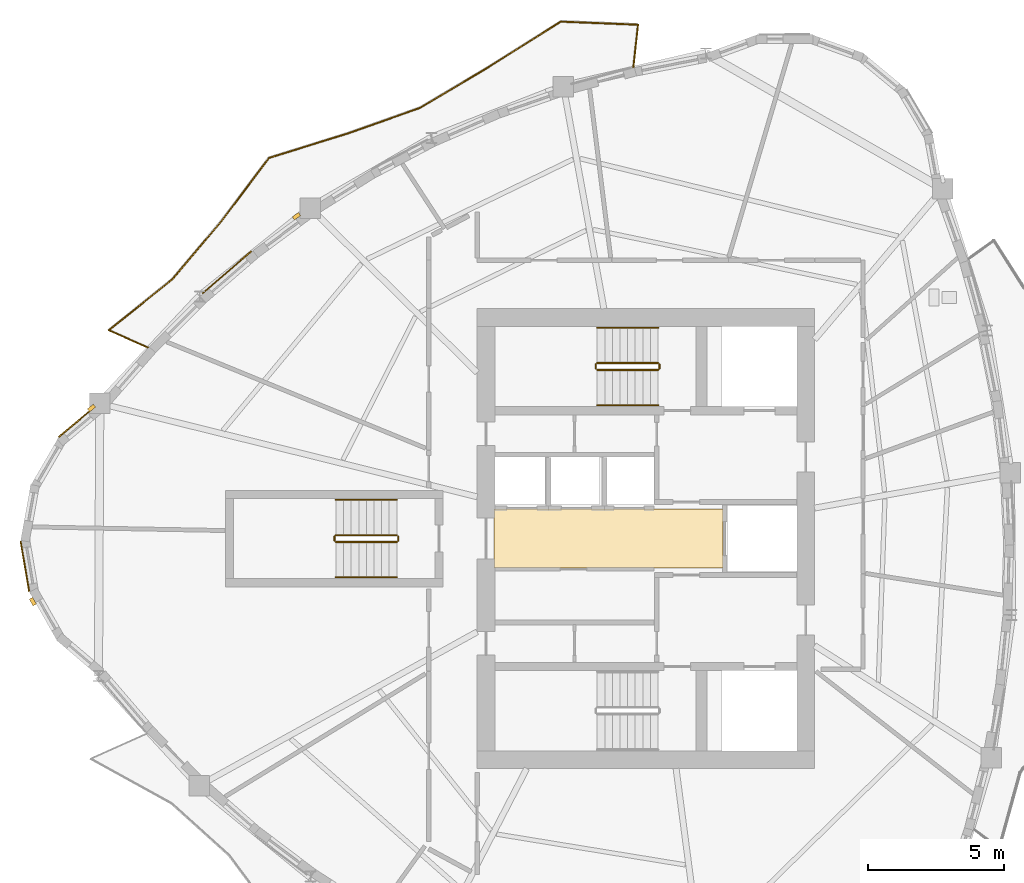
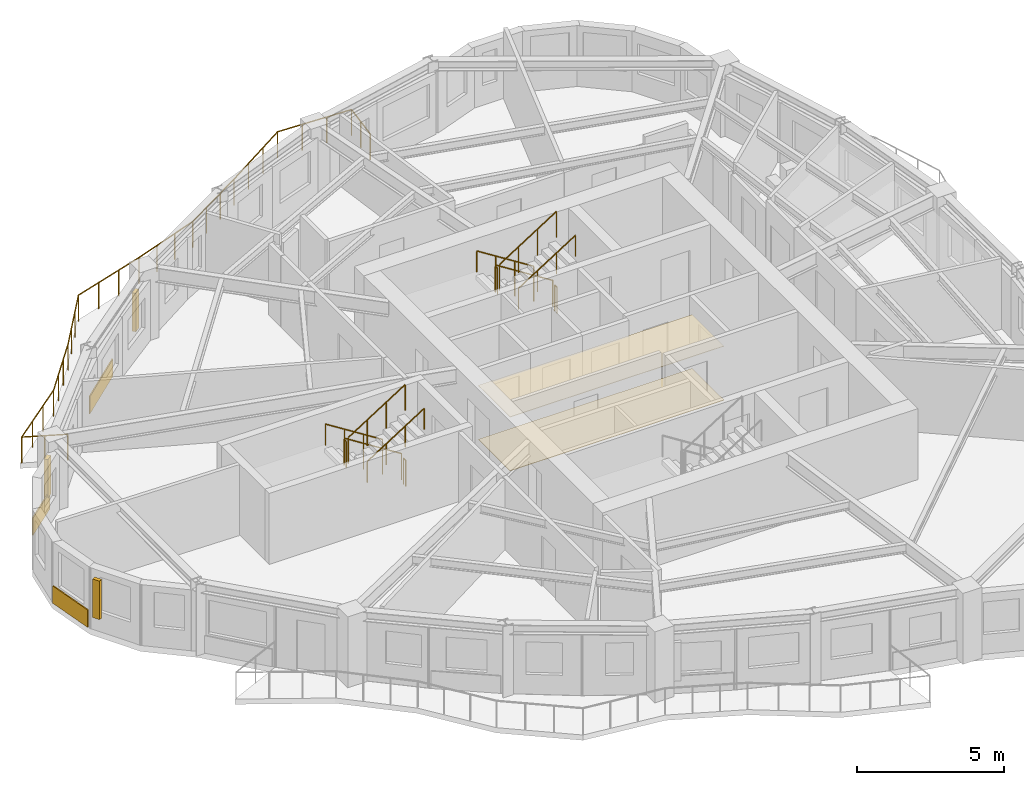
# One storey, part 10 of 12: 13 railings, 5 coverings, 3 shading devices.
"""IFC4 building model written with IfcOpenShell, lengths in metres."""

from ifc_helpers import new_model, si_unit, direction, frame, origin, origin_2d, place, context, subcontext, project, spatial, polyline, rectangle, circle, outline, extrude, source, transform, mapped, material, layer, layer_set, type_object, element, save


model = new_model("IFC4")

# Units and contexts
model_context = context("Model", 3, precision=1e-05, world=origin(), true_north=direction((0.0, 1.0)))
body_context = subcontext(model_context, "Body", "Model", "MODEL_VIEW")
ifc_project = project(units=[si_unit("LENGTHUNIT", "METRE"), si_unit("AREAUNIT", "SQUARE_METRE"), si_unit("VOLUMEUNIT", "CUBIC_METRE"), si_unit("PLANEANGLEUNIT", "RADIAN"), si_unit("MASSUNIT", "GRAM", prefix="KILO")], contexts=[model_context])

# Site, building, storey
site_placement = place(None, origin())
site = spatial("IfcSite", under=ifc_project, at=site_placement, CompositionType="ELEMENT")
building_placement = place(site_placement, origin())
building = spatial("IfcBuilding", under=site, at=building_placement, Name="Qafzar Sky-Pleat Residences", CompositionType="ELEMENT")
storey_placement = place(building_placement, frame((0.0, 0.0, 174.60009765625)))
storey = spatial("IfcBuildingStorey", under=building, at=storey_placement, Name="L52", CompositionType="ELEMENT", Elevation=174.60009765625)

# Coverings
ifc_material_1 = material(Name="Perforated acoustic gypsum board ceiling")
ifc_layer_1 = layer(ifc_material_1, 0.02001953125)
ifc_layer_set_1 = layer_set([ifc_layer_1], Name="Perforated acoustic gypsum board ceiling")
covering_type_1 = type_object("IfcCoveringType", Name="COV-CEIL-ACOUSTIC", PredefinedType="CEILING", material=ifc_layer_set_1)
covering_1_placement = place(storey_placement, frame((0.0, 0.0, 2.239990234375)))
element("IfcCovering", 1, at=covering_1_placement, inside=storey, type_object=covering_type_1, Name="L52 Passenger Lift Lobby Acoustic Ceiling", PredefinedType="CEILING", context=body_context, shape_type="SweptSolid", body=[
    extrude(outline(polyline([(33.179931640625, 24.919921875), (24.77001953125, 24.919921875), (24.77001953125, 27.080078125), (33.179931640625, 27.080078125), (33.179931640625, 24.919921875)])), origin(), (0.0, 0.0, 1.0), 0.02001953125),
])
ifc_material_2 = material(Name="Honed porcelain and Riyadh stone tile flooring", Category="masonry")
ifc_layer_2 = layer(ifc_material_2, 0.02001953125)
ifc_layer_set_2 = layer_set([ifc_layer_2], Name="Honed porcelain and Riyadh stone tile flooring")
covering_type_2 = type_object("IfcCoveringType", Name="COV-FLR-PORCELAIN", PredefinedType="FLOORING", material=ifc_layer_set_2)
covering_2_placement = place(storey_placement, origin())
element("IfcCovering", 2, at=covering_2_placement, inside=storey, type_object=covering_type_2, Name="L52 Passenger Lift Lobby Honed Stone Flooring", PredefinedType="FLOORING", context=body_context, shape_type="SweptSolid", body=[
    extrude(outline(polyline([(33.179931640625, 24.919921875), (24.77001953125, 24.919921875), (24.77001953125, 27.080078125), (33.179931640625, 27.080078125), (33.179931640625, 24.919921875)])), origin(), (0.0, 0.0, 1.0), 0.02001953125),
])

# Shading devices
ifc_material_3 = material(Name="Honed Riyadh limestone solar fin", Category="masonry")
ifc_layer_3 = layer(ifc_material_3, 0.139892578125)
ifc_layer_set_3 = layer_set([ifc_layer_3], Name="Honed Riyadh limestone solar fin")
shading_device_type = type_object("IfcShadingDeviceType", Name="SHD-FIN-STONE", PredefinedType="SHUTTER", material=ifc_layer_set_3)
shared_shape_1 = source(origin(), body_context, "Body", "SweptSolid", [
    extrude(rectangle(XDim=0.139892578125, YDim=0.280029296875, at=origin_2d()), origin(), (0.0, 0.0, 1.0), 1.60009765625),
])
for number, where, z_axis, x_axis, name in (
    (3, (9.977783203125, 30.7958984375, 0.599853515625), (0.0, 0.0, 1.0), (-0.642173926269, 0.766558966042, 0.0), "L52 Limestone Solar Fin 1"),
    (4, (7.822998046875, 23.68310546875, 0.599853515625), (0.0, 0.0, 1.0), (-0.869636147996, -0.493693194301, 0.0), "L52 Limestone Solar Fin 5"),
    (5, (17.51025390625, 37.845947265625, 0.599853515625), (0.0, 0.0, 1.0), (-0.594869963507, 0.803821949512, 0.0), "L52 Limestone Solar Fin 45"),
):
    element("IfcShadingDevice", number, at=place(storey_placement, frame(where, z_axis=z_axis, x_axis=x_axis)), inside=storey, type_object=shading_device_type, Name=name, PredefinedType="SHUTTER", context=body_context, shape_type="MappedRepresentation", body=[
        mapped(shared_shape_1, transform((0.0, 0.0, 0.0), x_axis=(1.0, 0.0, 0.0), y_axis=(0.0, 1.0, 0.0), z_axis=(0.0, 0.0, 1.0), scale=1.0)),
    ])

# Covering
ifc_material_4 = material(Name="Honed Riyadh Tuwaiq limestone cladding", Category="masonry")
ifc_layer_4 = layer(ifc_material_4, 0.044921875)
ifc_layer_set_4 = layer_set([ifc_layer_4], Name="Honed Riyadh Tuwaiq limestone cladding")
covering_type_3 = type_object("IfcCoveringType", Name="COV-CLAD-STONE", PredefinedType="CLADDING", material=ifc_layer_set_4)
shared_shape_2 = source(origin(), body_context, "Body", "SweptSolid", [
    extrude(rectangle(XDim=1.872802734375, YDim=0.044921875, at=origin_2d()), origin(), (0.0, 0.0, 1.0), 0.719970703125),
])
covering_3_placement = place(storey_placement, frame((7.5302734375, 24.98046875, 0.02001953125), z_axis=(0.0, 0.0, 1.0), x_axis=(0.168083505524, -0.985772760412, 0.0)))
element("IfcCovering", 6, at=covering_3_placement, inside=storey, type_object=covering_type_3, Name="L52 Riyadh Limestone Spandrel Cladding 4", PredefinedType="CLADDING", context=body_context, shape_type="MappedRepresentation", body=[
    mapped(shared_shape_2, transform((0.0, 0.0, 0.0), x_axis=(1.0, 0.0, 0.0), y_axis=(0.0, 1.0, 0.0), z_axis=(0.0, 0.0, 1.0), scale=1.0)),
])

# Railing
ifc_material_5 = material(Name="Laminated glass and bronze steel balustrade", Category="steel")
railing_type_1 = type_object("IfcRailingType", Name="RAIL-BAL-1100", PredefinedType="BALUSTRADE", material=ifc_material_5)
shared_shape_3 = source(origin(), body_context, "Body", "SweptSolid", [
    extrude(circle(Radius=0.02392578125, at=origin_2d()), frame((0.0, 0.0, 1.076171875), z_axis=(0.108461410542, 0.994100660106, 0.0), x_axis=(-0.994100660106, 0.108461410542, 0.0)), (0.0, 0.0, 1.0), 1.577880859375),
    extrude(circle(Radius=0.02392578125, at=origin_2d()), frame((0.171142578125, 1.568603515625, 1.076171875), z_axis=(-0.999194909063, 0.040118994285, 0.0), x_axis=(-0.040118994285, -0.999194909063, 0.0)), (0.0, 0.0, 1.0), 2.841796875),
    extrude(circle(Radius=0.02392578125, at=origin_2d()), frame((-2.66845703125, 1.6826171875, 1.076171875), z_axis=(-0.846148056043, -0.532947902947, 0.0), x_axis=(0.532947902947, -0.846148056043, 0.0)), (0.0, 0.0, 1.0), 3.174072265625),
    extrude(circle(Radius=0.02392578125, at=origin_2d()), frame((-5.354248046875, -0.009033203125, 1.076171875), z_axis=(-0.85916719873, -0.511694952708, 0.0), x_axis=(0.511694952708, -0.85916719873, 0.0)), (0.0, 0.0, 1.0), 2.886962890625),
    extrude(circle(Radius=0.02392578125, at=origin_2d()), frame((-7.834716796875, -1.486328125, 1.076171875), z_axis=(-0.942773892816, -0.333432732385, 0.0), x_axis=(0.333432732385, -0.942773892816, 0.0)), (0.0, 0.0, 1.0), 2.81396484375),
    extrude(circle(Radius=0.02392578125, at=origin_2d()), frame((-10.487548828125, -2.424560546875, 1.076171875), z_axis=(-0.954969167294, -0.296705054755, 0.0), x_axis=(0.296705054755, -0.954969167294, 0.0)), (0.0, 0.0, 1.0), 3.037841796875),
    extrude(circle(Radius=0.02392578125, at=origin_2d()), frame((-13.388671875, -3.325927734375, 1.076171875), z_axis=(-0.601041730747, -0.799217641135, 0.0), x_axis=(0.799217641135, -0.601041730747, 0.0)), (0.0, 0.0, 1.0), 2.92333984375),
    extrude(circle(Radius=0.02392578125, at=origin_2d()), frame((-15.145751953125, -5.662353515625, 1.076171875), z_axis=(-0.645698045806, -0.763592845463, 0.0), x_axis=(0.763592845463, -0.645698045806, 0.0)), (0.0, 0.0, 1.0), 2.779052734375),
    extrude(circle(Radius=0.02392578125, at=origin_2d()), frame((-16.940185546875, -7.784423828125, 1.076171875), z_axis=(-0.77980175034, -0.626026541103, 0.0), x_axis=(0.626026541103, -0.77980175034, 0.0)), (0.0, 0.0, 1.0), 2.994384765625),
    extrude(circle(Radius=0.02392578125, at=origin_2d()), frame((-19.275146484375, -9.658935546875, 1.076171875), z_axis=(0.915178094517, -0.403049693359, 0.0), x_axis=(0.403049693359, 0.915178094517, 0.0)), (0.0, 0.0, 1.0), 1.577880859375),
    extrude(circle(Radius=0.02099609375, at=origin_2d()), origin(), (0.0, 0.0, 1.0), 1.052001953125),
    extrude(circle(Radius=0.02099609375, at=origin_2d()), frame((0.08544921875, 0.7841796875, 0.0)), (0.0, 0.0, 1.0), 1.052001953125),
    extrude(circle(Radius=0.02099609375, at=origin_2d()), frame((0.171142578125, 1.568603515625, 0.0)), (0.0, 0.0, 1.0), 1.052001953125),
    extrude(circle(Radius=0.02099609375, at=origin_2d()), frame((-0.775390625, 1.606689453125, 0.0)), (0.0, 0.0, 1.0), 1.052001953125),
    extrude(circle(Radius=0.02099609375, at=origin_2d()), frame((-1.721923828125, 1.64453125, 0.0)), (0.0, 0.0, 1.0), 1.052001953125),
    extrude(circle(Radius=0.02099609375, at=origin_2d()), frame((-2.66845703125, 1.6826171875, 0.0)), (0.0, 0.0, 1.0), 1.052001953125),
    extrude(circle(Radius=0.02099609375, at=origin_2d()), frame((-3.563720703125, 1.11865234375, 0.0)), (0.0, 0.0, 1.0), 1.052001953125),
    extrude(circle(Radius=0.02099609375, at=origin_2d()), frame((-4.458984375, 0.554931640625, 0.0)), (0.0, 0.0, 1.0), 1.052001953125),
    extrude(circle(Radius=0.02099609375, at=origin_2d()), frame((-5.354248046875, -0.009033203125, 0.0)), (0.0, 0.0, 1.0), 1.052001953125),
    extrude(circle(Radius=0.02099609375, at=origin_2d()), frame((-6.18115234375, -0.50146484375, 0.0)), (0.0, 0.0, 1.0), 1.052001953125),
    extrude(circle(Radius=0.02099609375, at=origin_2d()), frame((-7.0078125, -0.993896484375, 0.0)), (0.0, 0.0, 1.0), 1.052001953125),
    extrude(circle(Radius=0.02099609375, at=origin_2d()), frame((-7.834716796875, -1.486328125, 0.0)), (0.0, 0.0, 1.0), 1.052001953125),
    extrude(circle(Radius=0.02099609375, at=origin_2d()), frame((-8.718994140625, -1.799072265625, 0.0)), (0.0, 0.0, 1.0), 1.052001953125),
    extrude(circle(Radius=0.02099609375, at=origin_2d()), frame((-9.603271484375, -2.11181640625, 0.0)), (0.0, 0.0, 1.0), 1.052001953125),
    extrude(circle(Radius=0.02099609375, at=origin_2d()), frame((-10.487548828125, -2.424560546875, 0.0)), (0.0, 0.0, 1.0), 1.052001953125),
    extrude(circle(Radius=0.02099609375, at=origin_2d()), frame((-11.45458984375, -2.72509765625, 0.0)), (0.0, 0.0, 1.0), 1.052001953125),
    extrude(circle(Radius=0.02099609375, at=origin_2d()), frame((-12.421630859375, -3.025390625, 0.0)), (0.0, 0.0, 1.0), 1.052001953125),
    extrude(circle(Radius=0.02099609375, at=origin_2d()), frame((-13.388671875, -3.325927734375, 0.0)), (0.0, 0.0, 1.0), 1.052001953125),
    extrude(circle(Radius=0.02099609375, at=origin_2d()), frame((-13.974365234375, -4.104736328125, 0.0)), (0.0, 0.0, 1.0), 1.052001953125),
    extrude(circle(Radius=0.02099609375, at=origin_2d()), frame((-14.56005859375, -4.883544921875, 0.0)), (0.0, 0.0, 1.0), 1.052001953125),
    extrude(circle(Radius=0.02099609375, at=origin_2d()), frame((-15.145751953125, -5.662353515625, 0.0)), (0.0, 0.0, 1.0), 1.052001953125),
    extrude(circle(Radius=0.02099609375, at=origin_2d()), frame((-15.743896484375, -6.36962890625, 0.0)), (0.0, 0.0, 1.0), 1.052001953125),
    extrude(circle(Radius=0.02099609375, at=origin_2d()), frame((-16.342041015625, -7.0771484375, 0.0)), (0.0, 0.0, 1.0), 1.052001953125),
    extrude(circle(Radius=0.02099609375, at=origin_2d()), frame((-16.940185546875, -7.784423828125, 0.0)), (0.0, 0.0, 1.0), 1.052001953125),
    extrude(circle(Radius=0.02099609375, at=origin_2d()), frame((-17.718505859375, -8.4091796875, 0.0)), (0.0, 0.0, 1.0), 1.052001953125),
    extrude(circle(Radius=0.02099609375, at=origin_2d()), frame((-18.496826171875, -9.0341796875, 0.0)), (0.0, 0.0, 1.0), 1.052001953125),
    extrude(circle(Radius=0.02099609375, at=origin_2d()), frame((-19.275146484375, -9.658935546875, 0.0)), (0.0, 0.0, 1.0), 1.052001953125),
    extrude(circle(Radius=0.02099609375, at=origin_2d()), frame((-18.55322265625, -9.97705078125, 0.0)), (0.0, 0.0, 1.0), 1.052001953125),
    extrude(circle(Radius=0.02099609375, at=origin_2d()), frame((-17.8310546875, -10.294921875, 0.0)), (0.0, 0.0, 1.0), 1.052001953125),
])
railing_placement = place(storey_placement, frame((29.890869140625, 43.314453125, 0.0)))
element("IfcRailing", 7, at=railing_placement, inside=storey, type_object=railing_type_1, Name="L52 Pleated Balcony 2 Balustrade", PredefinedType="BALUSTRADE", context=body_context, shape_type="MappedRepresentation", body=[
    mapped(shared_shape_3, transform((0.0, 0.0, 0.0), x_axis=(1.0, 0.0, 0.0), y_axis=(0.0, 1.0, 0.0), z_axis=(0.0, 0.0, 1.0), scale=1.0)),
])

# Coverings
shared_shape_4 = source(origin(), body_context, "Body", "SweptSolid", [
    extrude(rectangle(XDim=1.690185546875, YDim=0.044921875, at=origin_2d()), origin(), (0.0, 0.0, 1.0), 0.719970703125),
])
covering_4_placement = place(storey_placement, frame((9.4228515625, 30.27490234375, 0.02001953125), z_axis=(0.0, 0.0, 1.0), x_axis=(-0.766555899937, -0.642177586242, 0.0)))
element("IfcCovering", 8, at=covering_4_placement, inside=storey, type_object=covering_type_3, Name="L52 Riyadh Limestone Spandrel Cladding 1", PredefinedType="CLADDING", context=body_context, shape_type="MappedRepresentation", body=[
    mapped(shared_shape_4, transform((0.0, 0.0, 0.0), x_axis=(1.0, 0.0, 0.0), y_axis=(0.0, 1.0, 0.0), z_axis=(0.0, 0.0, 1.0), scale=1.0)),
])
shared_shape_5 = source(origin(), body_context, "Body", "SweptSolid", [
    extrude(rectangle(XDim=2.372314453125, YDim=0.044921875, at=origin_2d()), origin(), (0.0, 0.0, 1.0), 0.719970703125),
])
covering_5_placement = place(storey_placement, frame((14.955078125, 35.783447265625, 0.02001953125), z_axis=(0.0, 0.0, 1.0), x_axis=(-0.757486299872, -0.652851059206, 0.0)))
element("IfcCovering", 9, at=covering_5_placement, inside=storey, type_object=covering_type_3, Name="L52 Riyadh Limestone Spandrel Cladding 46", PredefinedType="CLADDING", context=body_context, shape_type="MappedRepresentation", body=[
    mapped(shared_shape_5, transform((0.0, 0.0, 0.0), x_axis=(1.0, 0.0, 0.0), y_axis=(0.0, 1.0, 0.0), z_axis=(0.0, 0.0, 1.0), scale=1.0)),
])

# Railings
ifc_material_6 = material(Name="Painted Steel S355 stair guardrail", Category="steel")
railing_type_2 = type_object("IfcRailingType", Name="RAIL-STAIR-GUARD", PredefinedType="GUARDRAIL", material=ifc_material_6)
shared_shape_6 = source(origin(), body_context, "Body", "SweptSolid", [
    extrude(circle(Radius=0.02392578125, at=origin_2d()), frame((0.0, 0.0, 1.076171875), z_axis=(0.0, -1.0, 0.0), x_axis=(1.0, 0.0, 0.0)), (0.0, 0.0, 1.0), 0.14990234375),
    extrude(circle(Radius=0.02099609375, at=origin_2d()), origin(), (0.0, 0.0, 1.0), 1.052001953125),
    extrude(circle(Radius=0.02099609375, at=origin_2d()), frame((0.0, -0.14990234375, 0.0)), (0.0, 0.0, 1.0), 1.052001953125),
])
for number, where, name in (
    (10, (28.510009765625, 32.39990234375, 1.599853515625), "L52 ST2 stair guard 2"),
    (11, (30.85009765625, 32.39990234375, 0.0), "L52 ST2 stair guard 4"),
    (12, (18.909912109375, 26.074951171875, 1.599853515625), "L52 ST3 stair guard 2"),
    (13, (21.25, 26.074951171875, 0.0), "L52 ST3 stair guard 4"),
):
    element("IfcRailing", number, at=place(storey_placement, frame(where)), inside=storey, type_object=railing_type_2, Name=name, PredefinedType="GUARDRAIL", context=body_context, shape_type="MappedRepresentation", body=[
        mapped(shared_shape_6, transform((0.0, 0.0, 0.0), x_axis=(1.0, 0.0, 0.0), y_axis=(0.0, 1.0, 0.0), z_axis=(0.0, 0.0, 1.0), scale=1.0)),
    ])
shared_shape_7 = source(origin(), body_context, "Body", "SweptSolid", [
    extrude(circle(Radius=0.02392578125, at=origin_2d()), frame((0.0, 0.0, 1.076171875), z_axis=(-0.8442293374, 0.0, 0.53598211339), x_axis=(0.0, -1.0, 0.0)), (0.0, 0.0, 1.0), 2.6533203125),
    extrude(circle(Radius=0.02099609375, at=origin_2d()), origin(), (0.0, 0.0, 1.0), 1.052001953125),
    extrude(circle(Radius=0.02099609375, at=origin_2d()), frame((-0.74658203125, 0.0, 0.47412109375)), (0.0, 0.0, 1.0), 1.052001953125),
    extrude(circle(Radius=0.02099609375, at=origin_2d()), frame((-1.493408203125, 0.0, 0.947998046875)), (0.0, 0.0, 1.0), 1.052001953125),
    extrude(circle(Radius=0.02099609375, at=origin_2d()), frame((-2.239990234375, 0.0, 1.422119140625)), (0.0, 0.0, 1.0), 1.052001953125),
])
for number, where, name in (
    (14, (30.800048828125, 32.449951171875, 0.177734375), "L52 ST2 stair guard 1"),
    (15, (21.199951171875, 26.125, 0.177734375), "L52 ST3 stair guard 1"),
):
    element("IfcRailing", number, at=place(storey_placement, frame(where)), inside=storey, type_object=railing_type_2, Name=name, PredefinedType="GUARDRAIL", context=body_context, shape_type="MappedRepresentation", body=[
        mapped(shared_shape_7, transform((0.0, 0.0, 0.0), x_axis=(1.0, 0.0, 0.0), y_axis=(0.0, 1.0, 0.0), z_axis=(0.0, 0.0, 1.0), scale=1.0)),
    ])
ifc_material_7 = material(Name="Brushed stainless steel handrail", Category="steel")
railing_type_3 = type_object("IfcRailingType", Name="RAIL-STAIR-HAND", PredefinedType="HANDRAIL", material=ifc_material_7)
shared_shape_8 = source(origin(), body_context, "Body", "SweptSolid", [
    extrude(circle(Radius=0.02392578125, at=origin_2d()), frame((0.0, 0.0, 0.8759765625), z_axis=(-0.8442293374, 0.0, 0.53598211339), x_axis=(0.0, -1.0, 0.0)), (0.0, 0.0, 1.0), 2.6533203125),
    extrude(circle(Radius=0.02099609375, at=origin_2d()), origin(), (0.0, 0.0, 1.0), 0.851806640625),
    extrude(circle(Radius=0.02099609375, at=origin_2d()), frame((-0.74658203125, 0.0, 0.47412109375)), (0.0, 0.0, 1.0), 0.851806640625),
    extrude(circle(Radius=0.02099609375, at=origin_2d()), frame((-1.493408203125, 0.0, 0.947998046875)), (0.0, 0.0, 1.0), 0.851806640625),
    extrude(circle(Radius=0.02099609375, at=origin_2d()), frame((-2.239990234375, 0.0, 1.422119140625)), (0.0, 0.0, 1.0), 0.851806640625),
])
for number, where, name in (
    (16, (30.800048828125, 33.75, 0.177734375), "L52 ST2 stair handrail 1"),
    (17, (21.199951171875, 27.425048828125, 0.177734375), "L52 ST3 stair handrail 1"),
):
    element("IfcRailing", number, at=place(storey_placement, frame(where)), inside=storey, type_object=railing_type_3, Name=name, PredefinedType="HANDRAIL", context=body_context, shape_type="MappedRepresentation", body=[
        mapped(shared_shape_8, transform((0.0, 0.0, 0.0), x_axis=(1.0, 0.0, 0.0), y_axis=(0.0, 1.0, 0.0), z_axis=(0.0, 0.0, 1.0), scale=1.0)),
    ])
shared_shape_9 = source(origin(), body_context, "Body", "SweptSolid", [
    extrude(circle(Radius=0.02392578125, at=origin_2d()), frame((0.0, 0.0, 1.076171875), z_axis=(0.84418770128, 0.0, 0.536047689118), x_axis=(0.0, 1.0, 0.0)), (0.0, 0.0, 1.0), 2.6533203125),
    extrude(circle(Radius=0.02099609375, at=origin_2d()), origin(), (0.0, 0.0, 1.0), 1.052001953125),
    extrude(circle(Radius=0.02099609375, at=origin_2d()), frame((0.74658203125, 0.0, 0.47412109375)), (0.0, 0.0, 1.0), 1.052001953125),
    extrude(circle(Radius=0.02099609375, at=origin_2d()), frame((1.493408203125, 0.0, 0.9482421875)), (0.0, 0.0, 1.0), 1.052001953125),
    extrude(circle(Radius=0.02099609375, at=origin_2d()), frame((2.239990234375, 0.0, 1.42236328125)), (0.0, 0.0, 1.0), 1.052001953125),
])
for number, where, name in (
    (18, (28.56005859375, 32.199951171875, 1.777587890625), "L52 ST2 stair guard 3"),
    (19, (18.9599609375, 25.875, 1.777587890625), "L52 ST3 stair guard 3"),
):
    element("IfcRailing", number, at=place(storey_placement, frame(where)), inside=storey, type_object=railing_type_2, Name=name, PredefinedType="GUARDRAIL", context=body_context, shape_type="MappedRepresentation", body=[
        mapped(shared_shape_9, transform((0.0, 0.0, 0.0), x_axis=(1.0, 0.0, 0.0), y_axis=(0.0, 1.0, 0.0), z_axis=(0.0, 0.0, 1.0), scale=1.0)),
    ])
shared_shape_10 = source(origin(), body_context, "Body", "SweptSolid", [
    extrude(circle(Radius=0.02392578125, at=origin_2d()), frame((0.0, 0.0, 0.8759765625), z_axis=(0.84418770128, 0.0, 0.536047689118), x_axis=(0.0, 1.0, 0.0)), (0.0, 0.0, 1.0), 2.6533203125),
    extrude(circle(Radius=0.02099609375, at=origin_2d()), origin(), (0.0, 0.0, 1.0), 0.851806640625),
    extrude(circle(Radius=0.02099609375, at=origin_2d()), frame((0.74658203125, 0.0, 0.47412109375)), (0.0, 0.0, 1.0), 0.851806640625),
    extrude(circle(Radius=0.02099609375, at=origin_2d()), frame((1.493408203125, 0.0, 0.9482421875)), (0.0, 0.0, 1.0), 0.851806640625),
    extrude(circle(Radius=0.02099609375, at=origin_2d()), frame((2.239990234375, 0.0, 1.42236328125)), (0.0, 0.0, 1.0), 0.851806640625),
])
for number, where, name in (
    (20, (28.56005859375, 30.89990234375, 1.777587890625), "L52 ST2 stair handrail 2"),
    (21, (18.9599609375, 24.574951171875, 1.777587890625), "L52 ST3 stair handrail 2"),
):
    element("IfcRailing", number, at=place(storey_placement, frame(where)), inside=storey, type_object=railing_type_3, Name=name, PredefinedType="HANDRAIL", context=body_context, shape_type="MappedRepresentation", body=[
        mapped(shared_shape_10, transform((0.0, 0.0, 0.0), x_axis=(1.0, 0.0, 0.0), y_axis=(0.0, 1.0, 0.0), z_axis=(0.0, 0.0, 1.0), scale=1.0)),
    ])

save(model, "model.ifc")
